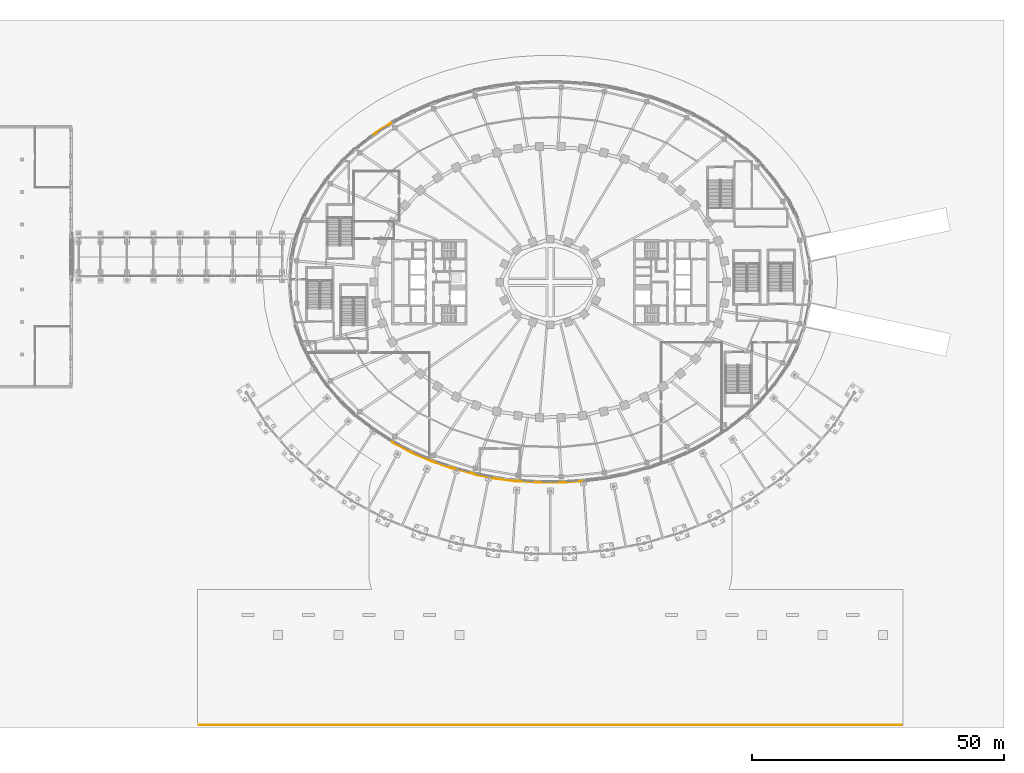
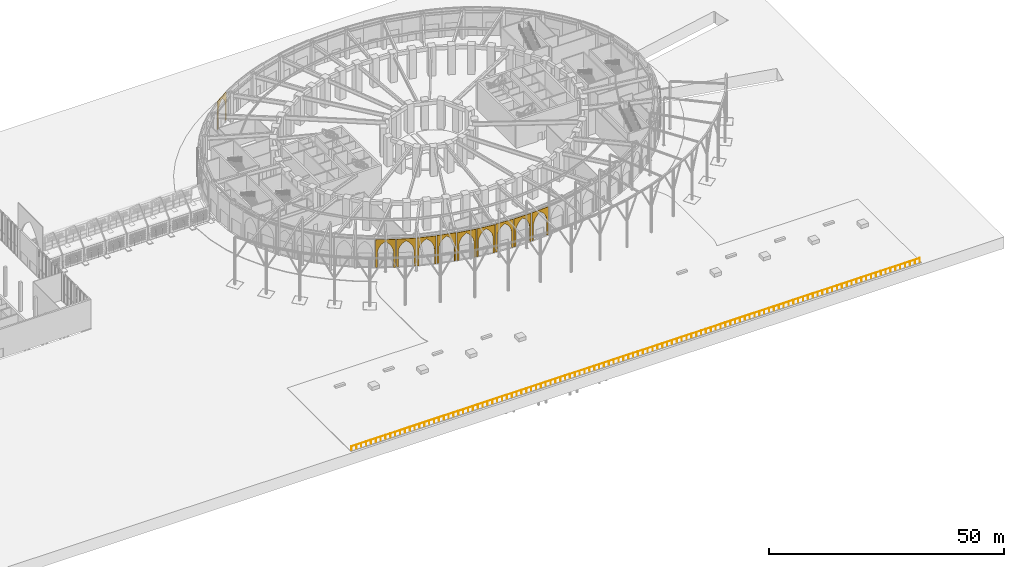
# One storey, part 73 of 79: 10 coverings, 1 railing.
"""IFC4 building model written with IfcOpenShell, lengths in metres."""

import ifcopenshell
import ifcopenshell.guid

model = None  # the IFC model being written
_history = None  # IfcOwnerHistory: only IFC2X3 demands one
_inside = {}  # id of a spatial element -> (the spatial element, [elements in it])
_under = {}  # id of a project, library or spatial element -> (it, [spatial elements below it])
_declared = {}  # id of a project -> (the project, [libraries it declares])
_typed = {}  # id of a type object -> (the type object, [elements of that type])
_made_of = {}  # id of a material, layer set ... -> (it, [elements and type objects made of it])


def new_model(schema):
    """Start an empty IFC model of exactly this schema.

    Asked for "IFC4X3", IfcOpenShell would pick the latest addendum, in which some entities
    have other attributes; the version numbers below select the first issue.
    IFC2X3 requires an IfcOwnerHistory on every rooted entity: one is made here for all.
    """
    global model, _history
    if schema == "IFC4X3":
        model = ifcopenshell.file(schema_version=(4, 3, 0, 0))
    else:
        model = ifcopenshell.file(schema=schema)
    _inside.clear()
    _under.clear()
    _declared.clear()
    _typed.clear()
    _made_of.clear()
    _history = None
    if model.schema == "IFC2X3":
        org = make("IfcOrganization", Name="unknown")
        user = make(
            "IfcPersonAndOrganization",
            ThePerson=make("IfcPerson", FamilyName="unknown"),
            TheOrganization=org,
        )
        app = make(
            "IfcApplication",
            ApplicationDeveloper=org,
            Version="unknown",
            ApplicationFullName="unknown",
            ApplicationIdentifier="unknown",
        )
        _history = make(
            "IfcOwnerHistory",
            OwningUser=user,
            OwningApplication=app,
            ChangeAction="ADDED",
            CreationDate=0,
        )
    return model


def make(cls, **values):
    """One entity of the class cls with the attributes given. An attribute that is None is left unset."""
    return model.create_entity(
        cls, **{name: value for name, value in values.items() if value is not None}
    )


def rooted(cls, **values):
    """An entity with a GlobalId (a new one), such as an element, a storey or a relation."""
    return make(cls, GlobalId=ifcopenshell.guid.new(), OwnerHistory=_history, **values)


def si_unit(unit_type, name, prefix=None):
    """IfcSIUnit, for example si_unit("LENGTHUNIT", "METRE", prefix="MILLI")."""
    return make("IfcSIUnit", UnitType=unit_type, Prefix=prefix, Name=name)


def assignment(units):
    """IfcUnitAssignment: the units of a project."""
    return None if units is None else make("IfcUnitAssignment", Units=units)


def point(xyz):
    """IfcCartesianPoint."""
    return None if xyz is None else make("IfcCartesianPoint", Coordinates=xyz)


def direction(xyz):
    """IfcDirection."""
    return None if xyz is None else make("IfcDirection", DirectionRatios=xyz)


def frame(location, z_axis=None, x_axis=None):
    """IfcAxis2Placement3D, a coordinate frame: its origin and axes. An axis left out is left unset."""
    return make(
        "IfcAxis2Placement3D",
        Location=point(location),
        Axis=direction(z_axis),
        RefDirection=direction(x_axis),
    )


def frame_2d(location, x_axis=None):
    """IfcAxis2Placement2D, a coordinate frame in the plane: its origin and x axis."""
    return make(
        "IfcAxis2Placement2D", Location=point(location), RefDirection=direction(x_axis)
    )


def origin():
    """The frame at (0, 0, 0) with its axes left unset."""
    return frame((0.0, 0.0, 0.0))


def origin_2d():
    """The frame at (0, 0) in the plane with its x axis left unset."""
    return frame_2d((0.0, 0.0))


def place(relative_to, where):
    """IfcLocalPlacement: puts the frame where relative to a parent placement (None: the world)."""
    return make(
        "IfcLocalPlacement", PlacementRelTo=relative_to, RelativePlacement=where
    )


def context(
    kind, dimensions, precision=None, world=None, true_north=None, identifier=None
):
    """IfcGeometricRepresentationContext, for example the 3D "Model" context."""
    return make(
        "IfcGeometricRepresentationContext",
        ContextIdentifier=identifier,
        ContextType=kind,
        CoordinateSpaceDimension=dimensions,
        Precision=precision,
        WorldCoordinateSystem=world,
        TrueNorth=true_north,
    )


def subcontext(parent, identifier, kind, view, scale=None):
    """IfcGeometricRepresentationSubContext, for example "Body" below "Model"."""
    return make(
        "IfcGeometricRepresentationSubContext",
        ContextIdentifier=identifier,
        ContextType=kind,
        ParentContext=parent,
        TargetScale=scale,
        TargetView=view,
    )


def project(units=None, contexts=None):
    """IfcProject with its units and contexts."""
    return rooted(
        "IfcProject",
        Name="project",
        RepresentationContexts=contexts,
        UnitsInContext=assignment(units),
    )


def spatial(cls, under=None, at=None, **own):
    """A site, building, storey or space (cls), placed at a placement, below another one or the project."""
    s = rooted(cls, ObjectPlacement=at, **own)
    if under is not None:
        _under.setdefault(under.id(), (under, []))[1].append(s)
    return s


def polyline(points):
    """IfcPolyline through the points."""
    return make("IfcPolyline", Points=[point(p) for p in points])


def profile(cls, at=None, kind="AREA", **sizes):
    """A parametric profile (cls). Its sizes go by their IFC names, for example OverallWidth=200.0."""
    return make(cls, ProfileType=kind, Position=at, **sizes)


def rectangle(**sizes):
    """IfcRectangleProfileDef."""
    return profile("IfcRectangleProfileDef", **sizes)


def outline(outer, holes=None, kind="AREA"):
    """IfcArbitraryClosedProfileDef: a profile drawn as a closed curve; with holes, ...WithVoids."""
    if holes is None:
        return make("IfcArbitraryClosedProfileDef", ProfileType=kind, OuterCurve=outer)
    return make(
        "IfcArbitraryProfileDefWithVoids",
        ProfileType=kind,
        OuterCurve=outer,
        InnerCurves=holes,
    )


def extrude(swept, where, along, depth):
    """IfcExtrudedAreaSolid: the profile swept, set in the frame where, extruded along a direction by depth."""
    return make(
        "IfcExtrudedAreaSolid",
        SweptArea=swept,
        Position=where,
        ExtrudedDirection=direction(along),
        Depth=depth,
    )


def shape(context_of_items, identifier, shape_type, items):
    """IfcShapeRepresentation: the items that make up one representation, for example the "Body"."""
    return make(
        "IfcShapeRepresentation",
        ContextOfItems=context_of_items,
        RepresentationIdentifier=identifier,
        RepresentationType=shape_type,
        Items=items,
    )


def material(Name=None, Category=None):
    """IfcMaterial."""
    return make("IfcMaterial", Name=Name, Category=Category)


def layer(
    of_material, thickness, ventilated=None, Name=None, Category=None, Priority=None
):
    """IfcMaterialLayer: one layer of a wall or slab, of a material (None: an air gap)."""
    return make(
        "IfcMaterialLayer",
        Material=of_material,
        LayerThickness=thickness,
        IsVentilated=ventilated,
        Name=Name,
        Category=Category,
        Priority=Priority,
    )


def layer_set(layers, Name=None):
    """IfcMaterialLayerSet."""
    return make("IfcMaterialLayerSet", MaterialLayers=layers, LayerSetName=Name)


def made_of(thing, what):
    """Note that an element or type object is made of a material, layer set ...; save() writes the relation."""
    if what is not None:
        _made_of.setdefault(what.id(), (what, []))[1].append(thing)
    return thing


def type_object(cls, material=None, **own):
    """A type object (cls), such as IfcWallType, which elements share."""
    return made_of(rooted(cls, **own), material)


def element(
    cls,
    number,
    at=None,
    inside=None,
    cuts=None,
    type_object=None,
    material=None,
    context=None,
    identifier="Body",
    shape_type=None,
    held_by="IfcProductDefinitionShape",
    body=None,
    shapes=None,
    **own,
):
    """One element of the class cls, such as IfcWall. Its Tag is "e" and its number.

    at: its placement. inside: the storey or other place that contains it. cuts: it is an
    opening in that element (IfcRelVoidsElement). A single representation is given by context,
    identifier, shape_type and body (its items); several are given by shapes. held_by: the class
    of the entity that holds the representations. save() writes the other relations.
    """
    e = rooted(cls, Tag="e%d" % number, ObjectPlacement=at, **own)
    if body is not None:
        shapes = [shape(context, identifier, shape_type, body)]
    if shapes is not None:
        e.Representation = make(held_by, Representations=shapes)
    if inside is not None:
        _inside.setdefault(inside.id(), (inside, []))[1].append(e)
    if cuts is not None:
        rooted(
            "IfcRelVoidsElement", RelatingBuildingElement=cuts, RelatedOpeningElement=e
        )
    if type_object is not None:
        _typed.setdefault(type_object.id(), (type_object, []))[1].append(e)
    return made_of(e, material)


def aggregate(whole, parts):
    """IfcRelAggregates: a whole, such as a stair, and the parts it consists of."""
    return rooted("IfcRelAggregates", RelatingObject=whole, RelatedObjects=parts)


def save(model, path):
    """Write the relations noted so far, then the file.

    IfcRelAggregates (storeys below a building ...), IfcRelContainedInSpatialStructure (elements
    in a storey), IfcRelDefinesByType, IfcRelAssociatesMaterial and IfcRelDeclares: one each for
    every whole, place, type object, material and project.
    """
    for whole, parts in _under.values():
        aggregate(whole, parts)
    for where, things in _inside.values():
        rooted(
            "IfcRelContainedInSpatialStructure",
            RelatedElements=things,
            RelatingStructure=where,
        )
    for kind, things in _typed.values():
        rooted("IfcRelDefinesByType", RelatedObjects=things, RelatingType=kind)
    for what, things in _made_of.values():
        rooted("IfcRelAssociatesMaterial", RelatedObjects=things, RelatingMaterial=what)
    for by, libraries in _declared.values():
        rooted("IfcRelDeclares", RelatingContext=by, RelatedDefinitions=libraries)
    model.write(path)


model = new_model("IFC4")

# Units and contexts
model_context = context("Model", 3, precision=1e-05, world=origin(), true_north=direction((0.0, 1.0)))
body_context = subcontext(model_context, "Body", "Model", "MODEL_VIEW")
ifc_project = project(units=[si_unit("LENGTHUNIT", "METRE"), si_unit("AREAUNIT", "SQUARE_METRE"), si_unit("VOLUMEUNIT", "CUBIC_METRE"), si_unit("PLANEANGLEUNIT", "RADIAN"), si_unit("MASSUNIT", "GRAM", prefix="KILO")], contexts=[model_context])

# Site, building, storey
site_placement = place(None, origin())
site = spatial("IfcSite", under=ifc_project, at=site_placement, CompositionType="ELEMENT")
building_placement = place(site_placement, origin())
building = spatial("IfcBuilding", under=site, at=building_placement, Name="Noorbagh Ring Tower", CompositionType="ELEMENT")
storey_placement = place(building_placement, origin())
storey = spatial("IfcBuildingStorey", under=building, at=storey_placement, Name="L00", CompositionType="ELEMENT", Elevation=0.0)

# Railing
ifc_material_1 = material(Name="Stainless steel", Category="steel")
railing_type = type_object("IfcRailingType", Name="GND-WATER-GUARD", PredefinedType="GUARDRAIL", material=ifc_material_1)
railing_placement = place(storey_placement, frame((-69.699951171875, -87.85009765625, 0.0)))
element("IfcRailing", 1, at=railing_placement, inside=storey, type_object=railing_type, Name="Waterfront guard", PredefinedType="GUARDRAIL", context=body_context, shape_type="SweptSolid", body=[
    extrude(rectangle(XDim=0.048095703125, YDim=0.048095703125, at=origin_2d()), frame((0.0, 0.0, 1.076171875), z_axis=(1.0, 0.0, 0.0), x_axis=(0.0, 1.0, 0.0)), (0.0, 0.0, 1.0), 139.39990234375),
    extrude(rectangle(XDim=0.0419921875, YDim=0.0419921875, at=origin_2d()), origin(), (0.0, 0.0, 1.0), 1.052001953125),
    extrude(rectangle(XDim=0.0419921875, YDim=0.0419921875, at=origin_2d()), frame((1.19140625, 0.0, 0.0)), (0.0, 0.0, 1.0), 1.052001953125),
    extrude(rectangle(XDim=0.0419921875, YDim=0.0419921875, at=origin_2d()), frame((2.3828125, 0.0, 0.0)), (0.0, 0.0, 1.0), 1.052001953125),
    extrude(rectangle(XDim=0.0419921875, YDim=0.0419921875, at=origin_2d()), frame((3.574462890625, 0.0, 0.0)), (0.0, 0.0, 1.0), 1.052001953125),
    extrude(rectangle(XDim=0.0419921875, YDim=0.0419921875, at=origin_2d()), frame((4.765869140625, 0.0, 0.0)), (0.0, 0.0, 1.0), 1.052001953125),
    extrude(rectangle(XDim=0.0419921875, YDim=0.0419921875, at=origin_2d()), frame((5.957275390625, 0.0, 0.0)), (0.0, 0.0, 1.0), 1.052001953125),
    extrude(rectangle(XDim=0.0419921875, YDim=0.0419921875, at=origin_2d()), frame((7.148681640625, 0.0, 0.0)), (0.0, 0.0, 1.0), 1.052001953125),
    extrude(rectangle(XDim=0.0419921875, YDim=0.0419921875, at=origin_2d()), frame((8.340087890625, 0.0, 0.0)), (0.0, 0.0, 1.0), 1.052001953125),
    extrude(rectangle(XDim=0.0419921875, YDim=0.0419921875, at=origin_2d()), frame((9.53173828125, 0.0, 0.0)), (0.0, 0.0, 1.0), 1.052001953125),
    extrude(rectangle(XDim=0.0419921875, YDim=0.0419921875, at=origin_2d()), frame((10.72314453125, 0.0, 0.0)), (0.0, 0.0, 1.0), 1.052001953125),
    extrude(rectangle(XDim=0.0419921875, YDim=0.0419921875, at=origin_2d()), frame((11.91455078125, 0.0, 0.0)), (0.0, 0.0, 1.0), 1.052001953125),
    extrude(rectangle(XDim=0.0419921875, YDim=0.0419921875, at=origin_2d()), frame((13.10595703125, 0.0, 0.0)), (0.0, 0.0, 1.0), 1.052001953125),
    extrude(rectangle(XDim=0.0419921875, YDim=0.0419921875, at=origin_2d()), frame((14.29736328125, 0.0, 0.0)), (0.0, 0.0, 1.0), 1.052001953125),
    extrude(rectangle(XDim=0.0419921875, YDim=0.0419921875, at=origin_2d()), frame((15.48876953125, 0.0, 0.0)), (0.0, 0.0, 1.0), 1.052001953125),
    extrude(rectangle(XDim=0.0419921875, YDim=0.0419921875, at=origin_2d()), frame((16.680419921875, 0.0, 0.0)), (0.0, 0.0, 1.0), 1.052001953125),
    extrude(rectangle(XDim=0.0419921875, YDim=0.0419921875, at=origin_2d()), frame((17.871826171875, 0.0, 0.0)), (0.0, 0.0, 1.0), 1.052001953125),
    extrude(rectangle(XDim=0.0419921875, YDim=0.0419921875, at=origin_2d()), frame((19.063232421875, 0.0, 0.0)), (0.0, 0.0, 1.0), 1.052001953125),
    extrude(rectangle(XDim=0.0419921875, YDim=0.0419921875, at=origin_2d()), frame((20.254638671875, 0.0, 0.0)), (0.0, 0.0, 1.0), 1.052001953125),
    extrude(rectangle(XDim=0.0419921875, YDim=0.0419921875, at=origin_2d()), frame((21.446044921875, 0.0, 0.0)), (0.0, 0.0, 1.0), 1.052001953125),
    extrude(rectangle(XDim=0.0419921875, YDim=0.0419921875, at=origin_2d()), frame((22.6376953125, 0.0, 0.0)), (0.0, 0.0, 1.0), 1.052001953125),
    extrude(rectangle(XDim=0.0419921875, YDim=0.0419921875, at=origin_2d()), frame((23.8291015625, 0.0, 0.0)), (0.0, 0.0, 1.0), 1.052001953125),
    extrude(rectangle(XDim=0.0419921875, YDim=0.0419921875, at=origin_2d()), frame((25.0205078125, 0.0, 0.0)), (0.0, 0.0, 1.0), 1.052001953125),
    extrude(rectangle(XDim=0.0419921875, YDim=0.0419921875, at=origin_2d()), frame((26.2119140625, 0.0, 0.0)), (0.0, 0.0, 1.0), 1.052001953125),
    extrude(rectangle(XDim=0.0419921875, YDim=0.0419921875, at=origin_2d()), frame((27.4033203125, 0.0, 0.0)), (0.0, 0.0, 1.0), 1.052001953125),
    extrude(rectangle(XDim=0.0419921875, YDim=0.0419921875, at=origin_2d()), frame((28.594970703125, 0.0, 0.0)), (0.0, 0.0, 1.0), 1.052001953125),
    extrude(rectangle(XDim=0.0419921875, YDim=0.0419921875, at=origin_2d()), frame((29.786376953125, 0.0, 0.0)), (0.0, 0.0, 1.0), 1.052001953125),
    extrude(rectangle(XDim=0.0419921875, YDim=0.0419921875, at=origin_2d()), frame((30.977783203125, 0.0, 0.0)), (0.0, 0.0, 1.0), 1.052001953125),
    extrude(rectangle(XDim=0.0419921875, YDim=0.0419921875, at=origin_2d()), frame((32.169189453125, 0.0, 0.0)), (0.0, 0.0, 1.0), 1.052001953125),
    extrude(rectangle(XDim=0.0419921875, YDim=0.0419921875, at=origin_2d()), frame((33.360595703125, 0.0, 0.0)), (0.0, 0.0, 1.0), 1.052001953125),
    extrude(rectangle(XDim=0.0419921875, YDim=0.0419921875, at=origin_2d()), frame((34.552001953125, 0.0, 0.0)), (0.0, 0.0, 1.0), 1.052001953125),
    extrude(rectangle(XDim=0.0419921875, YDim=0.0419921875, at=origin_2d()), frame((35.74365234375, 0.0, 0.0)), (0.0, 0.0, 1.0), 1.052001953125),
    extrude(rectangle(XDim=0.0419921875, YDim=0.0419921875, at=origin_2d()), frame((36.93505859375, 0.0, 0.0)), (0.0, 0.0, 1.0), 1.052001953125),
    extrude(rectangle(XDim=0.0419921875, YDim=0.0419921875, at=origin_2d()), frame((38.12646484375, 0.0, 0.0)), (0.0, 0.0, 1.0), 1.052001953125),
    extrude(rectangle(XDim=0.0419921875, YDim=0.0419921875, at=origin_2d()), frame((39.31787109375, 0.0, 0.0)), (0.0, 0.0, 1.0), 1.052001953125),
    extrude(rectangle(XDim=0.0419921875, YDim=0.0419921875, at=origin_2d()), frame((40.50927734375, 0.0, 0.0)), (0.0, 0.0, 1.0), 1.052001953125),
    extrude(rectangle(XDim=0.0419921875, YDim=0.0419921875, at=origin_2d()), frame((41.700927734375, 0.0, 0.0)), (0.0, 0.0, 1.0), 1.052001953125),
    extrude(rectangle(XDim=0.0419921875, YDim=0.0419921875, at=origin_2d()), frame((42.892333984375, 0.0, 0.0)), (0.0, 0.0, 1.0), 1.052001953125),
    extrude(rectangle(XDim=0.0419921875, YDim=0.0419921875, at=origin_2d()), frame((44.083740234375, 0.0, 0.0)), (0.0, 0.0, 1.0), 1.052001953125),
    extrude(rectangle(XDim=0.0419921875, YDim=0.0419921875, at=origin_2d()), frame((45.275146484375, 0.0, 0.0)), (0.0, 0.0, 1.0), 1.052001953125),
    extrude(rectangle(XDim=0.0419921875, YDim=0.0419921875, at=origin_2d()), frame((46.466552734375, 0.0, 0.0)), (0.0, 0.0, 1.0), 1.052001953125),
    extrude(rectangle(XDim=0.0419921875, YDim=0.0419921875, at=origin_2d()), frame((47.658203125, 0.0, 0.0)), (0.0, 0.0, 1.0), 1.052001953125),
    extrude(rectangle(XDim=0.0419921875, YDim=0.0419921875, at=origin_2d()), frame((48.849609375, 0.0, 0.0)), (0.0, 0.0, 1.0), 1.052001953125),
    extrude(rectangle(XDim=0.0419921875, YDim=0.0419921875, at=origin_2d()), frame((50.041015625, 0.0, 0.0)), (0.0, 0.0, 1.0), 1.052001953125),
    extrude(rectangle(XDim=0.0419921875, YDim=0.0419921875, at=origin_2d()), frame((51.232421875, 0.0, 0.0)), (0.0, 0.0, 1.0), 1.052001953125),
    extrude(rectangle(XDim=0.0419921875, YDim=0.0419921875, at=origin_2d()), frame((52.423828125, 0.0, 0.0)), (0.0, 0.0, 1.0), 1.052001953125),
    extrude(rectangle(XDim=0.0419921875, YDim=0.0419921875, at=origin_2d()), frame((53.615234375, 0.0, 0.0)), (0.0, 0.0, 1.0), 1.052001953125),
    extrude(rectangle(XDim=0.0419921875, YDim=0.0419921875, at=origin_2d()), frame((54.806884765625, 0.0, 0.0)), (0.0, 0.0, 1.0), 1.052001953125),
    extrude(rectangle(XDim=0.0419921875, YDim=0.0419921875, at=origin_2d()), frame((55.998291015625, 0.0, 0.0)), (0.0, 0.0, 1.0), 1.052001953125),
    extrude(rectangle(XDim=0.0419921875, YDim=0.0419921875, at=origin_2d()), frame((57.189697265625, 0.0, 0.0)), (0.0, 0.0, 1.0), 1.052001953125),
    extrude(rectangle(XDim=0.0419921875, YDim=0.0419921875, at=origin_2d()), frame((58.381103515625, 0.0, 0.0)), (0.0, 0.0, 1.0), 1.052001953125),
    extrude(rectangle(XDim=0.0419921875, YDim=0.0419921875, at=origin_2d()), frame((59.572509765625, 0.0, 0.0)), (0.0, 0.0, 1.0), 1.052001953125),
    extrude(rectangle(XDim=0.0419921875, YDim=0.0419921875, at=origin_2d()), frame((60.76416015625, 0.0, 0.0)), (0.0, 0.0, 1.0), 1.052001953125),
    extrude(rectangle(XDim=0.0419921875, YDim=0.0419921875, at=origin_2d()), frame((61.95556640625, 0.0, 0.0)), (0.0, 0.0, 1.0), 1.052001953125),
    extrude(rectangle(XDim=0.0419921875, YDim=0.0419921875, at=origin_2d()), frame((63.14697265625, 0.0, 0.0)), (0.0, 0.0, 1.0), 1.052001953125),
    extrude(rectangle(XDim=0.0419921875, YDim=0.0419921875, at=origin_2d()), frame((64.33837890625, 0.0, 0.0)), (0.0, 0.0, 1.0), 1.052001953125),
    extrude(rectangle(XDim=0.0419921875, YDim=0.0419921875, at=origin_2d()), frame((65.52978515625, 0.0, 0.0)), (0.0, 0.0, 1.0), 1.052001953125),
    extrude(rectangle(XDim=0.0419921875, YDim=0.0419921875, at=origin_2d()), frame((66.721435546875, 0.0, 0.0)), (0.0, 0.0, 1.0), 1.052001953125),
    extrude(rectangle(XDim=0.0419921875, YDim=0.0419921875, at=origin_2d()), frame((67.912841796875, 0.0, 0.0)), (0.0, 0.0, 1.0), 1.052001953125),
    extrude(rectangle(XDim=0.0419921875, YDim=0.0419921875, at=origin_2d()), frame((69.104248046875, 0.0, 0.0)), (0.0, 0.0, 1.0), 1.052001953125),
    extrude(rectangle(XDim=0.0419921875, YDim=0.0419921875, at=origin_2d()), frame((70.295654296875, 0.0, 0.0)), (0.0, 0.0, 1.0), 1.052001953125),
    extrude(rectangle(XDim=0.0419921875, YDim=0.0419921875, at=origin_2d()), frame((71.487060546875, 0.0, 0.0)), (0.0, 0.0, 1.0), 1.052001953125),
    extrude(rectangle(XDim=0.0419921875, YDim=0.0419921875, at=origin_2d()), frame((72.678466796875, 0.0, 0.0)), (0.0, 0.0, 1.0), 1.052001953125),
    extrude(rectangle(XDim=0.0419921875, YDim=0.0419921875, at=origin_2d()), frame((73.8701171875, 0.0, 0.0)), (0.0, 0.0, 1.0), 1.052001953125),
    extrude(rectangle(XDim=0.0419921875, YDim=0.0419921875, at=origin_2d()), frame((75.0615234375, 0.0, 0.0)), (0.0, 0.0, 1.0), 1.052001953125),
    extrude(rectangle(XDim=0.0419921875, YDim=0.0419921875, at=origin_2d()), frame((76.2529296875, 0.0, 0.0)), (0.0, 0.0, 1.0), 1.052001953125),
    extrude(rectangle(XDim=0.0419921875, YDim=0.0419921875, at=origin_2d()), frame((77.4443359375, 0.0, 0.0)), (0.0, 0.0, 1.0), 1.052001953125),
    extrude(rectangle(XDim=0.0419921875, YDim=0.0419921875, at=origin_2d()), frame((78.6357421875, 0.0, 0.0)), (0.0, 0.0, 1.0), 1.052001953125),
    extrude(rectangle(XDim=0.0419921875, YDim=0.0419921875, at=origin_2d()), frame((79.827392578125, 0.0, 0.0)), (0.0, 0.0, 1.0), 1.052001953125),
    extrude(rectangle(XDim=0.0419921875, YDim=0.0419921875, at=origin_2d()), frame((81.018798828125, 0.0, 0.0)), (0.0, 0.0, 1.0), 1.052001953125),
    extrude(rectangle(XDim=0.0419921875, YDim=0.0419921875, at=origin_2d()), frame((82.210205078125, 0.0, 0.0)), (0.0, 0.0, 1.0), 1.052001953125),
    extrude(rectangle(XDim=0.0419921875, YDim=0.0419921875, at=origin_2d()), frame((83.401611328125, 0.0, 0.0)), (0.0, 0.0, 1.0), 1.052001953125),
    extrude(rectangle(XDim=0.0419921875, YDim=0.0419921875, at=origin_2d()), frame((84.593017578125, 0.0, 0.0)), (0.0, 0.0, 1.0), 1.052001953125),
    extrude(rectangle(XDim=0.0419921875, YDim=0.0419921875, at=origin_2d()), frame((85.78466796875, 0.0, 0.0)), (0.0, 0.0, 1.0), 1.052001953125),
    extrude(rectangle(XDim=0.0419921875, YDim=0.0419921875, at=origin_2d()), frame((86.97607421875, 0.0, 0.0)), (0.0, 0.0, 1.0), 1.052001953125),
    extrude(rectangle(XDim=0.0419921875, YDim=0.0419921875, at=origin_2d()), frame((88.16748046875, 0.0, 0.0)), (0.0, 0.0, 1.0), 1.052001953125),
    extrude(rectangle(XDim=0.0419921875, YDim=0.0419921875, at=origin_2d()), frame((89.35888671875, 0.0, 0.0)), (0.0, 0.0, 1.0), 1.052001953125),
    extrude(rectangle(XDim=0.0419921875, YDim=0.0419921875, at=origin_2d()), frame((90.55029296875, 0.0, 0.0)), (0.0, 0.0, 1.0), 1.052001953125),
    extrude(rectangle(XDim=0.0419921875, YDim=0.0419921875, at=origin_2d()), frame((91.74169921875, 0.0, 0.0)), (0.0, 0.0, 1.0), 1.052001953125),
    extrude(rectangle(XDim=0.0419921875, YDim=0.0419921875, at=origin_2d()), frame((92.933349609375, 0.0, 0.0)), (0.0, 0.0, 1.0), 1.052001953125),
    extrude(rectangle(XDim=0.0419921875, YDim=0.0419921875, at=origin_2d()), frame((94.124755859375, 0.0, 0.0)), (0.0, 0.0, 1.0), 1.052001953125),
    extrude(rectangle(XDim=0.0419921875, YDim=0.0419921875, at=origin_2d()), frame((95.316162109375, 0.0, 0.0)), (0.0, 0.0, 1.0), 1.052001953125),
    extrude(rectangle(XDim=0.0419921875, YDim=0.0419921875, at=origin_2d()), frame((96.507568359375, 0.0, 0.0)), (0.0, 0.0, 1.0), 1.052001953125),
    extrude(rectangle(XDim=0.0419921875, YDim=0.0419921875, at=origin_2d()), frame((97.698974609375, 0.0, 0.0)), (0.0, 0.0, 1.0), 1.052001953125),
    extrude(rectangle(XDim=0.0419921875, YDim=0.0419921875, at=origin_2d()), frame((98.890625, 0.0, 0.0)), (0.0, 0.0, 1.0), 1.052001953125),
    extrude(rectangle(XDim=0.0419921875, YDim=0.0419921875, at=origin_2d()), frame((100.08203125, 0.0, 0.0)), (0.0, 0.0, 1.0), 1.052001953125),
    extrude(rectangle(XDim=0.0419921875, YDim=0.0419921875, at=origin_2d()), frame((101.2734375, 0.0, 0.0)), (0.0, 0.0, 1.0), 1.052001953125),
    extrude(rectangle(XDim=0.0419921875, YDim=0.0419921875, at=origin_2d()), frame((102.46484375, 0.0, 0.0)), (0.0, 0.0, 1.0), 1.052001953125),
    extrude(rectangle(XDim=0.0419921875, YDim=0.0419921875, at=origin_2d()), frame((103.65625, 0.0, 0.0)), (0.0, 0.0, 1.0), 1.052001953125),
    extrude(rectangle(XDim=0.0419921875, YDim=0.0419921875, at=origin_2d()), frame((104.847900390625, 0.0, 0.0)), (0.0, 0.0, 1.0), 1.052001953125),
    extrude(rectangle(XDim=0.0419921875, YDim=0.0419921875, at=origin_2d()), frame((106.039306640625, 0.0, 0.0)), (0.0, 0.0, 1.0), 1.052001953125),
    extrude(rectangle(XDim=0.0419921875, YDim=0.0419921875, at=origin_2d()), frame((107.230712890625, 0.0, 0.0)), (0.0, 0.0, 1.0), 1.052001953125),
    extrude(rectangle(XDim=0.0419921875, YDim=0.0419921875, at=origin_2d()), frame((108.422119140625, 0.0, 0.0)), (0.0, 0.0, 1.0), 1.052001953125),
    extrude(rectangle(XDim=0.0419921875, YDim=0.0419921875, at=origin_2d()), frame((109.613525390625, 0.0, 0.0)), (0.0, 0.0, 1.0), 1.052001953125),
    extrude(rectangle(XDim=0.0419921875, YDim=0.0419921875, at=origin_2d()), frame((110.804931640625, 0.0, 0.0)), (0.0, 0.0, 1.0), 1.052001953125),
    extrude(rectangle(XDim=0.0419921875, YDim=0.0419921875, at=origin_2d()), frame((111.99658203125, 0.0, 0.0)), (0.0, 0.0, 1.0), 1.052001953125),
    extrude(rectangle(XDim=0.0419921875, YDim=0.0419921875, at=origin_2d()), frame((113.18798828125, 0.0, 0.0)), (0.0, 0.0, 1.0), 1.052001953125),
    extrude(rectangle(XDim=0.0419921875, YDim=0.0419921875, at=origin_2d()), frame((114.37939453125, 0.0, 0.0)), (0.0, 0.0, 1.0), 1.052001953125),
    extrude(rectangle(XDim=0.0419921875, YDim=0.0419921875, at=origin_2d()), frame((115.57080078125, 0.0, 0.0)), (0.0, 0.0, 1.0), 1.052001953125),
    extrude(rectangle(XDim=0.0419921875, YDim=0.0419921875, at=origin_2d()), frame((116.76220703125, 0.0, 0.0)), (0.0, 0.0, 1.0), 1.052001953125),
    extrude(rectangle(XDim=0.0419921875, YDim=0.0419921875, at=origin_2d()), frame((117.953857421875, 0.0, 0.0)), (0.0, 0.0, 1.0), 1.052001953125),
    extrude(rectangle(XDim=0.0419921875, YDim=0.0419921875, at=origin_2d()), frame((119.145263671875, 0.0, 0.0)), (0.0, 0.0, 1.0), 1.052001953125),
    extrude(rectangle(XDim=0.0419921875, YDim=0.0419921875, at=origin_2d()), frame((120.336669921875, 0.0, 0.0)), (0.0, 0.0, 1.0), 1.052001953125),
    extrude(rectangle(XDim=0.0419921875, YDim=0.0419921875, at=origin_2d()), frame((121.528076171875, 0.0, 0.0)), (0.0, 0.0, 1.0), 1.052001953125),
    extrude(rectangle(XDim=0.0419921875, YDim=0.0419921875, at=origin_2d()), frame((122.719482421875, 0.0, 0.0)), (0.0, 0.0, 1.0), 1.052001953125),
    extrude(rectangle(XDim=0.0419921875, YDim=0.0419921875, at=origin_2d()), frame((123.9111328125, 0.0, 0.0)), (0.0, 0.0, 1.0), 1.052001953125),
    extrude(rectangle(XDim=0.0419921875, YDim=0.0419921875, at=origin_2d()), frame((125.1025390625, 0.0, 0.0)), (0.0, 0.0, 1.0), 1.052001953125),
    extrude(rectangle(XDim=0.0419921875, YDim=0.0419921875, at=origin_2d()), frame((126.2939453125, 0.0, 0.0)), (0.0, 0.0, 1.0), 1.052001953125),
    extrude(rectangle(XDim=0.0419921875, YDim=0.0419921875, at=origin_2d()), frame((127.4853515625, 0.0, 0.0)), (0.0, 0.0, 1.0), 1.052001953125),
    extrude(rectangle(XDim=0.0419921875, YDim=0.0419921875, at=origin_2d()), frame((128.6767578125, 0.0, 0.0)), (0.0, 0.0, 1.0), 1.052001953125),
    extrude(rectangle(XDim=0.0419921875, YDim=0.0419921875, at=origin_2d()), frame((129.8681640625, 0.0, 0.0)), (0.0, 0.0, 1.0), 1.052001953125),
    extrude(rectangle(XDim=0.0419921875, YDim=0.0419921875, at=origin_2d()), frame((131.059814453125, 0.0, 0.0)), (0.0, 0.0, 1.0), 1.052001953125),
    extrude(rectangle(XDim=0.0419921875, YDim=0.0419921875, at=origin_2d()), frame((132.251220703125, 0.0, 0.0)), (0.0, 0.0, 1.0), 1.052001953125),
    extrude(rectangle(XDim=0.0419921875, YDim=0.0419921875, at=origin_2d()), frame((133.442626953125, 0.0, 0.0)), (0.0, 0.0, 1.0), 1.052001953125),
    extrude(rectangle(XDim=0.0419921875, YDim=0.0419921875, at=origin_2d()), frame((134.634033203125, 0.0, 0.0)), (0.0, 0.0, 1.0), 1.052001953125),
    extrude(rectangle(XDim=0.0419921875, YDim=0.0419921875, at=origin_2d()), frame((135.825439453125, 0.0, 0.0)), (0.0, 0.0, 1.0), 1.052001953125),
    extrude(rectangle(XDim=0.0419921875, YDim=0.0419921875, at=origin_2d()), frame((137.01708984375, 0.0, 0.0)), (0.0, 0.0, 1.0), 1.052001953125),
    extrude(rectangle(XDim=0.0419921875, YDim=0.0419921875, at=origin_2d()), frame((138.20849609375, 0.0, 0.0)), (0.0, 0.0, 1.0), 1.052001953125),
    extrude(rectangle(XDim=0.0419921875, YDim=0.0419921875, at=origin_2d()), frame((139.39990234375, 0.0, 0.0)), (0.0, 0.0, 1.0), 1.052001953125),
])

# Coverings
ifc_material_2 = material(Name="Red sandstone cladding", Category="masonry")
ifc_layer = layer(ifc_material_2, 0.10009765625)
ifc_layer_set = layer_set([ifc_layer], Name="Red sandstone cladding")
covering_type = type_object("IfcCoveringType", Name="STY-SPANDREL", PredefinedType="USERDEFINED", material=ifc_layer_set)
covering_1_placement = place(storey_placement, frame((-31.5712890625, 31.604248046875, 0.0), z_axis=(-0.54259399943, 0.839995090261, 1.0929639e-05), x_axis=(-0.839995090311, -0.542593999463, 9.76e-10)))
element("IfcCovering", 2, at=covering_1_placement, inside=storey, type_object=covering_type, Name="Arch spandrel", ObjectType="ARCH", PredefinedType="USERDEFINED", context=body_context, shape_type="SweptSolid", body=[
    extrude(outline(polyline([(0.0, 0.0), (0.39995100336686396, 0.0), (0.3999510070757964, 3.800048827898029), (0.42873165445380973, 4.238769531083153), (0.5143985033953076, 4.670166014104881), (0.6558663077112205, 5.08666991889825), (0.8504219519401945, 5.480957029987675), (1.0944848975047325, 5.846679684639112), (1.3845943289270088, 6.177246091354762), (1.71533676143161, 6.467285153312951), (2.0808885563906707, 6.71166991721307), (2.446572820110832, 6.467285152133669), (2.777315252049264, 6.1772460891265055), (3.067087136661764, 5.846679682588398), (3.3114876276768905, 5.480957025576769), (3.5059108018980485, 5.086669915722006), (3.647378605400928, 4.670166008065132), (3.73317792273847, 4.238769524629679), (3.7619585692600803, 3.800048821617212), (3.761958565551148, -6.28081741129932e-09), (4.161909568918013, -6.280817411302708e-09), (4.161909575994175, 7.249999993286151), (7.076161754676697e-09, 7.249999999566969), (0.0, 0.0)])), origin(), (0.0, 0.0, -1.0), 0.10009765625),
])
covering_2_placement = place(storey_placement, frame((-31.381103515625, -31.71630859375, 0.0), z_axis=(0.470845477426, 0.882215697055, 1.6049794e-05), x_axis=(0.882215697168, -0.470845477487, -1.797e-09)))
element("IfcCovering", 3, at=covering_2_placement, inside=storey, type_object=covering_type, Name="Arch spandrel", ObjectType="ARCH", PredefinedType="USERDEFINED", context=body_context, shape_type="SweptSolid", body=[
    extrude(outline(polyline([(0.0, 0.0), (0.3998592640504345, -4.235164736271502e-22), (0.3998592572204401, -3.8000488276355613), (0.42891198957159066, -4.239013671245288), (0.5146484072297955, -4.67089843541508), (0.6560920189340561, -5.087402342817229), (0.8506146474156457, -5.482177733061225), (1.0952722985329229, -5.848144531027894), (1.3853688599561726, -6.178955080712083), (1.7163086515369037, -6.4689941426818836), (2.0822036849747194, -6.713623051072718), (2.4479837667827473, -6.468994143569481), (2.77903851191523, -6.17895508407108), (3.0691350745276407, -5.848144540090485), (3.313677774451302, -5.48217774094434), (3.508315356861138, -5.087402353497114), (3.649644017553448, -4.670898445049466), (3.735495389273296, -4.239013681537597), (3.7642177860015447, -3.8000488361478895), (3.764217792831539, -8.51232798832941e-09), (4.164407394082817, -1.012483756228621e-08), (4.164407381052074, -7.250000009191052), (-1.3030742923862515e-08, -7.2499999990662145), (0.0, 0.0)])), origin(), (0.0, 0.0, -1.0), 0.10009765625),
])
covering_3_placement = place(storey_placement, frame((-27.510009765625, -33.77294921875, 0.0), z_axis=(0.400515312206, 0.916290064662, 4.5723026e-05), x_axis=(0.91629006562, -0.400515312624, -1.3606e-08)))
element("IfcCovering", 4, at=covering_3_placement, inside=storey, type_object=covering_type, Name="Arch spandrel", ObjectType="ARCH", PredefinedType="USERDEFINED", context=body_context, shape_type="SweptSolid", body=[
    extrude(outline(polyline([(0.0, 0.0), (0.40014788174863675, 0.0), (0.40014783004618554, -3.800048824152818), (0.42890357279275676, -4.2395019469635296), (0.5149471094676277, -4.671142570790398), (0.6561954649531542, -5.088134763194141), (0.8512367750262404, -5.48315429708244), (1.095807307303166, -5.849121094215106), (1.3859648150683277, -6.180419925862303), (1.7171240802399919, -6.470703129896183), (2.083259880881938, -6.715087904514719), (2.4492979061152056, -6.470703138164426), (2.7802334755566003, -6.180419941023019), (3.070614695966191, -5.849121112644979), (3.3152830202603556, -5.48315432702247), (3.5100028553944544, -5.088134793474707), (3.651698629485554, -4.671142602814515), (3.7375184742766976, -4.2395019820116175), (3.766274228981433, -3.8000488557410477), (3.7662742806838843, -3.158822990312793e-08), (4.166296240861966, -4.6285815097384846e-08), (4.166296142220399, -7.250000038707407), (-9.864156706906743e-08, -7.249999992421592), (0.0, 0.0)])), origin(), (0.0, 0.0, -1.0), 0.10009765625),
])
covering_4_placement = place(storey_placement, frame((-23.489013671875, -35.521240234375, 0.0), z_axis=(0.331354215224, 0.943506430319, 6.42242e-07), x_axis=(0.943506430319, -0.331354215224, 2e-11)))
element("IfcCovering", 5, at=covering_4_placement, inside=storey, type_object=covering_type, Name="Arch spandrel", ObjectType="ARCH", PredefinedType="USERDEFINED", context=body_context, shape_type="SweptSolid", body=[
    extrude(outline(polyline([(0.0, 0.0), (0.40004547854975436, -1.3234889800848443e-23), (0.400045478624784, -3.800048828124216), (0.42876911832075176, -4.239501953126134), (0.5147096891415673, -4.6716308594340346), (0.65647275876353, -5.088867187488903), (0.8512818053654059, -5.483886718668488), (1.0958187136015953, -5.850097656181522), (1.3864541228517178, -6.181396484390757), (1.7176226466474604, -6.471679687430916), (2.084001589596148, -6.716552734255532), (2.4501501842855764, -6.47167968738221), (2.781318708069856, -6.181396484172487), (3.0717237690573063, -5.850097656183819), (3.316491025528624, -5.483886718645044), (3.511530420364491, -5.088867187272833), (3.653063141720388, -4.671630859129834), (3.739003712524139, -4.239501952937911), (3.7677273522027535, -3.800048827940012), (3.7677273521277237, 1.842043785733247e-10), (4.167772830677478, 1.842043785733247e-10), (4.167772830820625, -7.2499999998143), (1.4314678546260145e-10, -7.249999999998504), (0.0, 0.0)])), origin(), (0.0, 0.0, -1.0), 0.10009765625),
])
covering_5_placement = place(storey_placement, frame((-19.348876953125, -36.966796875, 0.0), z_axis=(-0.26341009615, -0.964683948886, 2.84788e-06), x_axis=(0.96468394889, -0.263410096151, -5.08e-10)))
element("IfcCovering", 6, at=covering_5_placement, inside=storey, type_object=covering_type, Name="Arch spandrel", ObjectType="ARCH", PredefinedType="USERDEFINED", context=body_context, shape_type="SweptSolid", body=[
    extrude(outline(polyline([(0.0, 0.0), (0.4001363488115454, 0.0), (0.400136346882776, 3.80004882810959), (0.4287435241999418, 4.2397460936500835), (0.5147362660382098, 4.67211914112912), (0.6564659426062031, 5.089111328638883), (0.8513844411684086, 5.484619140733844), (1.0961084751525407, 5.850830078385079), (1.3868480300062858, 6.182128907151433), (1.7181644613818634, 6.472900391308899), (2.0845974070516813, 6.717529297999523), (2.450794834427619, 6.472900392008866), (2.782346784640577, 6.182128907601957), (3.0728508212884234, 5.850830079937734), (3.3176391647498127, 5.484619141921243), (3.5124933546080035, 5.089111329690106), (3.6541587224937917, 4.672119142873948), (3.7402157738764803, 4.239746095935795), (3.7691227792877102, 3.800048829742423), (3.76912278121648, 1.6328328666932154e-09), (4.16895930238031, 2.1202646577636204e-09), (4.168959298700469, 7.250000002090864), (-3.679841729121868e-09, 7.2499999999705995), (0.0, 0.0)])), origin(), (0.0, 0.0, -1.0), 0.10009765625),
])
covering_6_placement = place(storey_placement, frame((-15.115966796875, -38.114990234375, 0.0), z_axis=(0.19663082923, 0.980477595131, 4.9424863e-05), x_axis=(0.980477596328, -0.19663082947, -8.201e-09)))
element("IfcCovering", 7, at=covering_6_placement, inside=storey, type_object=covering_type, Name="Arch spandrel", ObjectType="ARCH", PredefinedType="USERDEFINED", context=body_context, shape_type="SweptSolid", body=[
    extrude(outline(polyline([(0.0, 0.0), (0.40013247665749446, 4.235164736271502e-22), (0.40013244549221333, -3.800048823483588), (0.4290040020042229, -4.239990226317525), (0.514900555580995, -4.672119130515695), (0.6565772286391616, -5.089599598608531), (0.8515442659619292, -5.484863271274455), (1.0963064090982306, -5.8513183493420735), (1.3871290251798276, -6.182861317260103), (1.7185538548727175, -6.473388664240758), (2.0850746332552816, -6.718505852037728), (2.451595415658397, -6.473388665433474), (2.7830202501166816, -6.1828613256238345), (3.073603497223269, -5.851318359222468), (3.3183656463703746, -5.484863281935269), (3.5135720645896478, -5.089599609446044), (3.6552487444955672, -4.672119141058709), (3.7411453051603636, -4.239990233812489), (3.770016868888542, -3.8000488252211237), (3.770016900053823, -1.7375358715162421e-09), (4.169958007871752, -1.5939682889123583e-08), (4.16995794841244, -7.250000007084471), (-5.94593118272898e-08, -7.249999991144788), (0.0, 0.0)])), origin(), (0.0, 0.0, -1.0), 0.10009765625),
])
covering_7_placement = place(storey_placement, frame((-10.813720703125, -38.969970703125, 0.0), z_axis=(0.130543374072, 0.991442599022, 1.8168426e-05), x_axis=(0.991442599186, -0.130543374094, 3.96e-10)))
element("IfcCovering", 8, at=covering_7_placement, inside=storey, type_object=covering_type, Name="Arch spandrel", ObjectType="ARCH", PredefinedType="USERDEFINED", context=body_context, shape_type="SweptSolid", body=[
    extrude(outline(polyline([(0.0, 0.0), (0.40015393206370253, 2.117582368135751e-22), (0.40015393356889783, -3.800048827497818), (0.4289520135078409, -4.239990231880954), (0.5148940210824587, -4.672363278857794), (0.6567378282698252, -5.089843748177569), (0.8515150761953555, -5.485107419245815), (1.096531328341609, -5.851806637786448), (1.3873340463984494, -6.183349604157048), (1.7188082796905582, -6.474121091747812), (2.0854695423632297, -6.718994138187282), (2.4518887534260965, -6.474121091536723), (2.783331115546915, -6.183349606075789), (3.073891781925291, -5.851806635634968), (3.3189399047219874, -5.485107421194327), (3.513959203750207, -5.089843748063906), (3.6558030106068466, -4.672363280021488), (3.7417450178389395, -4.23999023339105), (3.770543097429362, -3.8000488254194065), (3.7705430959241664, 2.0784115377448843e-09), (4.170454976572052, 1.4992708228018815e-09), (4.170454979443769, -7.249999997304148), (2.8717173427282656e-09, -7.2499999988034185), (0.0, 0.0)])), origin(), (0.0, 0.0, -1.0), 0.10009765625),
])
covering_8_placement = place(storey_placement, frame((-6.463623046875, -39.535400390625, 0.0), z_axis=(-0.065208271741, -0.997871675056, 3.7652784e-05), x_axis=(0.997871675763, -0.065208271787, -3.602e-09)))
element("IfcCovering", 9, at=covering_8_placement, inside=storey, type_object=covering_type, Name="Arch spandrel", ObjectType="ARCH", PredefinedType="USERDEFINED", context=body_context, shape_type="SweptSolid", body=[
    extrude(outline(polyline([(0.0, 0.0), (0.4000237975962206, -2.117582368135751e-22), (0.40002378390840937, 3.8000488254312743), (0.42889842195126543, 4.2399902288223075), (0.5150191772590306, 4.672363275721825), (0.6566807027550726, 5.090087883807679), (0.8516744893479876, 5.4853515568555755), (1.0965739228672622, 5.852050780013461), (1.3874810671031896, 6.183593746806058), (1.7189884997903147, 6.474365237174397), (2.08549293761152, 6.719238284189996), (2.4522409982113853, 6.474365238403068), (2.7837484329932334, 6.183593760433642), (3.074411958603012, 5.85205078959597), (3.3193113947639947, 5.485351575773737), (3.514305184204397, 5.090087905632012), (3.6562103337243252, 4.6723632961603965), (3.7420874711323235, 4.239990249322593), (3.7709461923562957, 3.8000488500102976), (3.770946206044107, 2.457902320732442e-08), (4.170970003640328, 2.4579023207326112e-08), (4.17096997752576, 7.250000019439744), (-2.6114567458182038e-08, 7.249999994860721), (0.0, 0.0)])), origin(), (0.0, 0.0, -1.0), 0.10009765625),
])
covering_9_placement = place(storey_placement, frame((-2.08544921875, -39.814208984375, 0.0), z_axis=(0.0, -1.0, 0.0), x_axis=(1.0, 0.0, 0.0)))
element("IfcCovering", 10, at=covering_9_placement, inside=storey, type_object=covering_type, Name="Arch spandrel", ObjectType="ARCH", PredefinedType="USERDEFINED", context=body_context, shape_type="SweptSolid", body=[
    extrude(outline(polyline([(0.0, 0.0), (0.39990234375, 0.0), (0.39990234375, 3.800048828125), (0.4287109375, 4.239990234375), (0.514892578125, 4.672607421875), (0.656494140625, 5.090087890625), (0.8515625, 5.485595703125), (1.096435546875, 5.85205078125), (1.38720703125, 6.18359375), (1.71875, 6.474365234375), (2.08544921875, 6.719482421875), (2.4521484375, 6.474365234375), (2.78369140625, 6.18359375), (3.074462890625, 5.85205078125), (3.3193359375, 5.485595703125), (3.514404296875, 5.090087890625), (3.656005859375, 4.672607421875), (3.7421875, 4.239990234375), (3.77099609375, 3.800048828125), (3.77099609375, 0.0), (4.1708984375, 0.0), (4.1708984375, 7.25), (0.0, 7.25), (0.0, 0.0)])), origin(), (0.0, 0.0, -1.0), 0.10009765625),
])
covering_10_placement = place(storey_placement, frame((2.301513671875, -39.80712890625, 0.0), z_axis=(0.065208271741, -0.997871675056, 3.7652784e-05), x_axis=(0.997871675763, 0.065208271787, 3.602e-09)))
element("IfcCovering", 11, at=covering_10_placement, inside=storey, type_object=covering_type, Name="Arch spandrel", ObjectType="ARCH", PredefinedType="USERDEFINED", context=body_context, shape_type="SweptSolid", body=[
    extrude(outline(polyline([(0.0, 0.0), (0.4000237975962206, 2.117582368135751e-22), (0.4000238112840318, 3.8000488254312743), (0.42888253250800473, 4.23999022474357), (0.5147596699160027, 4.672363271581373), (0.6566648194359314, 5.090087881052988), (0.851658608876333, 5.4853515511947135), (1.0965580450373156, 5.852050765016947), (1.3872215706470943, 6.183593735854619), (1.7187290054289424, 6.474365213824044), (2.0854770660288082, 6.7192382596109725), (2.4519815038500132, 6.474365212595374), (2.7834889365371382, 6.183593722227035), (3.074396080773066, 5.852050755434438), (3.3192955142923406, 5.485351532276552), (3.5142893008852556, 5.090087859228656), (3.6559508263812974, 4.6723632511428015), (3.7420715816890624, 4.239990204243284), (3.7709462197319183, 3.800048800852251), (3.770946206044107, -2.457902320732442e-08), (4.170970003640328, -2.4579023207326112e-08), (4.170970029754895, 7.2499999702816975), (2.6114567458182038e-08, 7.249999994860721), (0.0, 0.0)])), origin(), (0.0, 0.0, -1.0), 0.10009765625),
])

save(model, "model.ifc")
